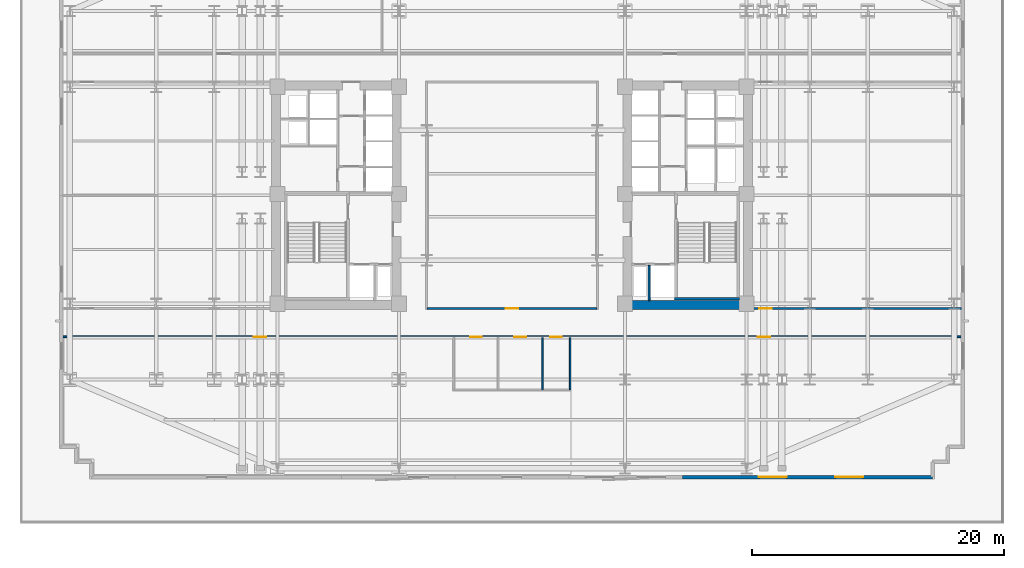
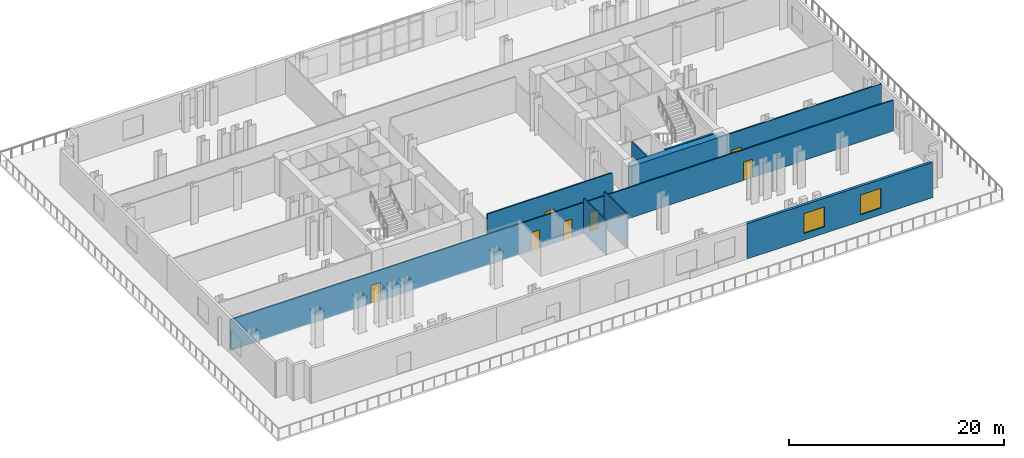
# One storey, part 7 of 14: 9 walls, 7 doors, 2 windows, 9 openings.
"""IFC4 building model written with IfcOpenShell, lengths in metres."""

from ifc_helpers import new_model, si_unit, direction, frame, frame_2d, origin, place, context, subcontext, project, spatial, rectangle, extrude, material, layer, layer_set, type_object, element, fill, save


model = new_model("IFC4")

# Units and contexts
model_context = context("Model", 3, precision=1e-05, world=origin(), true_north=direction((0.0, 1.0)))
body_context = subcontext(model_context, "Body", "Model", "MODEL_VIEW")
ifc_project = project(units=[si_unit("LENGTHUNIT", "METRE"), si_unit("AREAUNIT", "SQUARE_METRE"), si_unit("VOLUMEUNIT", "CUBIC_METRE"), si_unit("PLANEANGLEUNIT", "RADIAN"), si_unit("MASSUNIT", "GRAM", prefix="KILO")], contexts=[model_context])

# Site, building, storey
site_placement = place(None, origin())
site = spatial("IfcSite", under=ifc_project, at=site_placement, CompositionType="ELEMENT")
building_placement = place(site_placement, origin())
building = spatial("IfcBuilding", under=site, at=building_placement, Name="Velakula Bourse", CompositionType="ELEMENT")
storey_placement = place(building_placement, frame((0.0, 0.0, 27.0)))
storey = spatial("IfcBuildingStorey", under=building, at=storey_placement, Name="L06", CompositionType="ELEMENT", Elevation=27.0)

# Walls
ifc_material_1 = material(Name="Concrete M50 (fck 50 MPa)", Category="concrete")
ifc_layer_1 = layer(ifc_material_1, 0.2099609375, Name="Concrete M50 (fck 50 MPa)", Category="concrete")
ifc_layer_set_1 = layer_set([ifc_layer_1], Name="Concrete M50 (fck 50 MPa)")
wall_type_1 = type_object("IfcWallType", Name="WL-CORE-210", PredefinedType="SHEAR", material=ifc_layer_set_1)
wall_1_placement = place(storey_placement, frame((12.889892578125, -8.205078125, 0.0), z_axis=(0.0, 0.0, 1.0), x_axis=(1.0, 0.0, 0.0)))
element("IfcWall", 1, at=wall_1_placement, inside=storey, type_object=wall_type_1, Name="L06 Core E Stairwell Shear Wall S", PredefinedType="SHEAR", context=body_context, shape_type="SweptSolid", body=[
    extrude(rectangle(XDim=5.14013671875, YDim=0.2099609375, at=frame_2d((2.570068359375, 0.0))), origin(), (0.0, 0.0, 1.0), 4.02001953125),
])
ifc_material_2 = material(Name="Concrete M70 (fck 70 MPa)", Category="concrete")
ifc_layer_2 = layer(ifc_material_2, 0.699951171875, Name="Concrete M70 (fck 70 MPa)", Category="concrete")
ifc_layer_set_2 = layer_set([ifc_layer_2], Name="Concrete M70 (fck 70 MPa)")
wall_type_2 = type_object("IfcWallType", Name="WL-CORE-700", PredefinedType="SHEAR", material=ifc_layer_set_2)
wall_2_placement = place(storey_placement, frame((8.800048828125, -8.699951171875, 0.0), z_axis=(0.0, 0.0, 1.0), x_axis=(1.0, 0.0, 0.0)))
element("IfcWall", 2, at=wall_2_placement, inside=storey, type_object=wall_type_2, Name="L06 Core E Shear Wall S", PredefinedType="SHEAR", context=body_context, shape_type="SweptSolid", body=[
    extrude(rectangle(XDim=10.25, YDim=0.699951171875, at=frame_2d((5.125, 0.0))), origin(), (0.0, 0.0, 1.0), 4.02001953125),
])

# Wall, openings, windows
ifc_material_3 = material(Name="Red kilned clay facing brick masonry", Category="masonry")
ifc_layer_3 = layer(ifc_material_3, 0.280029296875, Name="Red kilned clay facing brick masonry", Category="masonry")
ifc_layer_set_3 = layer_set([ifc_layer_3], Name="Red kilned clay facing brick masonry")
wall_type_3 = type_object("IfcWallType", Name="WL-EXT-BRK-280", PredefinedType="STANDARD", material=ifc_layer_set_3)
wall_3_placement = place(storey_placement, frame((33.340087890625, -22.340087890625, 0.0), z_axis=(0.0, 0.0, 1.0), x_axis=(-1.0, 0.0, 0.0)))
wall_3 = element("IfcWall", 3, at=wall_3_placement, inside=storey, type_object=wall_type_3, Name="L06 S Brick Spandrel Wall B5", PredefinedType="STANDARD", context=body_context, shape_type="SweptSolid", body=[
    extrude(rectangle(XDim=19.840087890625, YDim=0.280029296875, at=frame_2d((9.919921875, 0.0))), origin(), (0.0, 0.0, 1.0), 4.0),
])
opening_1_placement = place(wall_3_placement, frame((5.51318359375, 0.0, 0.760009765625)))
opening_1 = element("IfcOpeningElement", 4, at=opening_1_placement, cuts=wall_3, Name="Opening W-08", PredefinedType="OPENING", context=body_context, shape_type="SweptSolid", body=[
    extrude(rectangle(XDim=2.199951171875, YDim=2.25, at=frame_2d((1.10009765625, 1.125))), frame((0.0, 0.14990234375, 0.0), z_axis=(0.0, -1.0, 0.0), x_axis=(1.0, 0.0, 0.0)), (0.0, 0.0, 1.0), 0.300048828125),
])
opening_2_placement = place(wall_3_placement, frame((11.57666015625, 0.0, 0.760009765625)))
opening_2 = element("IfcOpeningElement", 5, at=opening_2_placement, cuts=wall_3, Name="Opening W-08", PredefinedType="OPENING", context=body_context, shape_type="SweptSolid", body=[
    extrude(rectangle(XDim=2.199951171875, YDim=2.25, at=frame_2d((1.10009765625, 1.125))), frame((0.0, 0.14990234375, 0.0), z_axis=(0.0, -1.0, 0.0), x_axis=(1.0, 0.0, 0.0)), (0.0, 0.0, 1.0), 0.300048828125),
])
ifc_material_4 = material(Name="Double-glazed solar-control Low-E glass", Category="glass")
window_type = type_object("IfcWindowType", Name="WIN-SL-2200x2500", PartitioningType="DOUBLE_PANEL_VERTICAL", PredefinedType="WINDOW", material=ifc_material_4)
window_1_placement = place(opening_1_placement, origin())
window_1 = element("IfcWindow", 6, at=window_1_placement, inside=storey, type_object=window_type, Name="L06 Deep-Set Recessed Window 1", OverallHeight=2.25, OverallWidth=2.199951171875, PartitioningType="DOUBLE_PANEL_VERTICAL", PredefinedType="WINDOW", context=body_context, shape_type="SweptSolid", body=[
    extrude(rectangle(XDim=2.199951171875, YDim=2.25, at=frame_2d((1.10009765625, 1.125))), frame((0.0, 0.030029296875, 0.0), z_axis=(0.0, -1.0, 0.0), x_axis=(1.0, 0.0, 0.0)), (0.0, 0.0, 1.0), 0.06005859375),
])
fill(opening_1, window_1)
window_2_placement = place(opening_2_placement, origin())
window_2 = element("IfcWindow", 7, at=window_2_placement, inside=storey, type_object=window_type, Name="L06 Deep-Set Recessed Window 2", OverallHeight=2.25, OverallWidth=2.199951171875, PartitioningType="DOUBLE_PANEL_VERTICAL", PredefinedType="WINDOW", context=body_context, shape_type="SweptSolid", body=[
    extrude(rectangle(XDim=2.199951171875, YDim=2.25, at=frame_2d((1.10009765625, 1.125))), frame((0.0, 0.030029296875, 0.0), z_axis=(0.0, -1.0, 0.0), x_axis=(1.0, 0.0, 0.0)), (0.0, 0.0, 1.0), 0.06005859375),
])
fill(opening_2, window_2)

# Walls
ifc_material_5 = material(Name="Fire-rated double-layer gypsum drywall partition", Category="gypsum")
ifc_layer_4 = layer(ifc_material_5, 0.1201171875, Name="Fire-rated double-layer gypsum drywall partition", Category="gypsum")
ifc_layer_set_4 = layer_set([ifc_layer_4], Name="Fire-rated double-layer gypsum drywall partition")
wall_type_4 = type_object("IfcWallType", Name="WL-PART-120", PredefinedType="STANDARD", material=ifc_layer_set_4)
for number, where, z_axis, x_axis, name in (
    (8, (2.39990234375, -15.419921875, 0.0), (0.0, 0.0, 1.0), (0.0, 1.0, 0.0), "L06 Interior Partition WL-WC-L06-V3"),
    (9, (4.60009765625, -15.419921875, 0.0), (0.0, 0.0, 1.0), (0.0, 1.0, 0.0), "L06 Interior Partition WL-WC-L06-V4"),
):
    element("IfcWall", number, at=place(storey_placement, frame(where, z_axis=z_axis, x_axis=x_axis)), inside=storey, type_object=wall_type_4, Name=name, PredefinedType="STANDARD", context=body_context, shape_type="SweptSolid", body=[
        extrude(rectangle(XDim=4.1298828125, YDim=0.1201171875, at=frame_2d((2.06494140625, 0.0))), origin(), (0.0, 0.0, 1.0), 4.0),
    ])

# Wall, openings, doors
ifc_layer_5 = layer(ifc_material_5, 0.139892578125, Name="Fire-rated double-layer gypsum drywall partition", Category="gypsum")
ifc_layer_set_5 = layer_set([ifc_layer_5], Name="Fire-rated double-layer gypsum drywall partition")
wall_type_5 = type_object("IfcWallType", Name="WL-PART-140", PredefinedType="STANDARD", material=ifc_layer_set_5)
wall_4_placement = place(storey_placement, frame((-35.6201171875, -11.219970703125, 0.0), z_axis=(0.0, 0.0, 1.0), x_axis=(1.0, 0.0, 0.0)))
wall_4 = element("IfcWall", 10, at=wall_4_placement, inside=storey, type_object=wall_type_5, Name="L06 Interior Partition WL-INT-L06-S-CORR", PredefinedType="STANDARD", context=body_context, shape_type="SweptSolid", body=[
    extrude(rectangle(XDim=71.240234375, YDim=0.139892578125, at=frame_2d((35.6201171875, 0.0))), origin(), (0.0, 0.0, 1.0), 3.4951171875),
])
opening_3_placement = place(wall_4_placement, frame((32.31005859375, 0.0, 0.0)))
opening_3 = element("IfcOpeningElement", 11, at=opening_3_placement, cuts=wall_4, Name="Opening D-WT1", PredefinedType="OPENING", context=body_context, shape_type="SweptSolid", body=[
    extrude(rectangle(XDim=0.919921875, YDim=2.080078125, at=frame_2d((0.4599609375, 1.0400390625))), frame((0.0, 0.079833984375, 0.0), z_axis=(0.0, -1.0, 0.0), x_axis=(1.0, 0.0, 0.0)), (0.0, 0.0, 1.0), 0.159912109375),
])
opening_4_placement = place(wall_4_placement, frame((35.81005859375, 0.0, 0.0)))
opening_4 = element("IfcOpeningElement", 12, at=opening_4_placement, cuts=wall_4, Name="Opening D-WT1", PredefinedType="OPENING", context=body_context, shape_type="SweptSolid", body=[
    extrude(rectangle(XDim=0.919921875, YDim=2.080078125, at=frame_2d((0.4599609375, 1.0400390625))), frame((0.0, 0.079833984375, 0.0), z_axis=(0.0, -1.0, 0.0), x_axis=(1.0, 0.0, 0.0)), (0.0, 0.0, 1.0), 0.159912109375),
])
opening_5_placement = place(wall_4_placement, frame((38.659912109375, 0.0, 0.0)))
opening_5 = element("IfcOpeningElement", 13, at=opening_5_placement, cuts=wall_4, Name="Opening D-WC1", PredefinedType="OPENING", context=body_context, shape_type="SweptSolid", body=[
    extrude(rectangle(XDim=0.919921875, YDim=2.080078125, at=frame_2d((0.4599609375, 1.0400390625))), frame((0.0, 0.079833984375, 0.0), z_axis=(0.0, -1.0, 0.0), x_axis=(1.0, 0.0, 0.0)), (0.0, 0.0, 1.0), 0.159912109375),
])
opening_6_placement = place(wall_4_placement, frame((15.135986328125, 0.0, 0.0)))
opening_6 = element("IfcOpeningElement", 14, at=opening_6_placement, cuts=wall_4, Name="Opening D-OF1", PredefinedType="OPENING", context=body_context, shape_type="SweptSolid", body=[
    extrude(rectangle(XDim=1.0, YDim=2.080078125, at=frame_2d((0.5, 1.0400390625))), frame((0.0, 0.079833984375, 0.0), z_axis=(0.0, -1.0, 0.0), x_axis=(1.0, 0.0, 0.0)), (0.0, 0.0, 1.0), 0.159912109375),
])
opening_7_placement = place(wall_4_placement, frame((55.10400390625, 0.0, 0.0)))
opening_7 = element("IfcOpeningElement", 15, at=opening_7_placement, cuts=wall_4, Name="Opening D-OF1", PredefinedType="OPENING", context=body_context, shape_type="SweptSolid", body=[
    extrude(rectangle(XDim=1.0, YDim=2.080078125, at=frame_2d((0.5, 1.0400390625))), frame((0.0, 0.079833984375, 0.0), z_axis=(0.0, -1.0, 0.0), x_axis=(1.0, 0.0, 0.0)), (0.0, 0.0, 1.0), 0.159912109375),
])
ifc_material_6 = material(Name="Fire-rated hardwood flush architectural door", Category="wood")
door_type_1 = type_object("IfcDoorType", Name="DR-OFF-1000", OperationType="NOTDEFINED", PredefinedType="DOOR", material=ifc_material_6)
door_1_placement = place(opening_6_placement, origin())
door_1 = element("IfcDoor", 16, at=door_1_placement, inside=storey, type_object=door_type_1, Name="L06 Traders Bistro Restaurant Door", OperationType="SINGLE_SWING_RIGHT", OverallHeight=2.080078125, OverallWidth=1.0, PredefinedType="DOOR", context=body_context, shape_type="SweptSolid", body=[
    extrude(rectangle(XDim=1.0, YDim=2.080078125, at=frame_2d((0.5, 1.0400390625))), frame((0.0, 0.02490234375, 0.0), z_axis=(0.0, -1.0, 0.0), x_axis=(1.0, 0.0, 0.0)), (0.0, 0.0, 1.0), 0.050048828125),
])
fill(opening_6, door_1)
door_2_placement = place(opening_7_placement, origin())
door_2 = element("IfcDoor", 17, at=door_2_placement, inside=storey, type_object=door_type_1, Name="L06 Primary Dealer Office Door", OperationType="SINGLE_SWING_LEFT", OverallHeight=2.080078125, OverallWidth=1.0, PredefinedType="DOOR", context=body_context, shape_type="SweptSolid", body=[
    extrude(rectangle(XDim=1.0, YDim=2.080078125, at=frame_2d((0.5, 1.0400390625))), frame((0.0, 0.02490234375, 0.0), z_axis=(0.0, -1.0, 0.0), x_axis=(1.0, 0.0, 0.0)), (0.0, 0.0, 1.0), 0.050048828125),
])
fill(opening_7, door_2)
door_type_2 = type_object("IfcDoorType", Name="DR-WC-950", OperationType="NOTDEFINED", PredefinedType="DOOR", material=ifc_material_6)
door_3_placement = place(opening_3_placement, origin())
door_3 = element("IfcDoor", 18, at=door_3_placement, inside=storey, type_object=door_type_2, Name="L06 Male Staff Toilet Door", OperationType="SINGLE_SWING_LEFT", OverallHeight=2.080078125, OverallWidth=0.919921875, PredefinedType="DOOR", context=body_context, shape_type="SweptSolid", body=[
    extrude(rectangle(XDim=0.919921875, YDim=2.080078125, at=frame_2d((0.4599609375, 1.0400390625))), frame((0.0, 0.02490234375, 0.0), z_axis=(0.0, -1.0, 0.0), x_axis=(1.0, 0.0, 0.0)), (0.0, 0.0, 1.0), 0.050048828125),
])
fill(opening_3, door_3)
door_4_placement = place(opening_4_placement, origin())
door_4 = element("IfcDoor", 19, at=door_4_placement, inside=storey, type_object=door_type_2, Name="L06 Female Staff Toilet Door", OperationType="SINGLE_SWING_RIGHT", OverallHeight=2.080078125, OverallWidth=0.919921875, PredefinedType="DOOR", context=body_context, shape_type="SweptSolid", body=[
    extrude(rectangle(XDim=0.919921875, YDim=2.080078125, at=frame_2d((0.4599609375, 1.0400390625))), frame((0.0, 0.02490234375, 0.0), z_axis=(0.0, -1.0, 0.0), x_axis=(1.0, 0.0, 0.0)), (0.0, 0.0, 1.0), 0.050048828125),
])
fill(opening_4, door_4)
door_5_placement = place(opening_5_placement, origin())
door_5 = element("IfcDoor", 20, at=door_5_placement, inside=storey, type_object=door_type_2, Name="L06 Accessible WC Door", OperationType="SINGLE_SWING_LEFT", OverallHeight=2.080078125, OverallWidth=0.919921875, PredefinedType="DOOR", context=body_context, shape_type="SweptSolid", body=[
    extrude(rectangle(XDim=0.919921875, YDim=2.080078125, at=frame_2d((0.4599609375, 1.0400390625))), frame((0.0, 0.02490234375, 0.0), z_axis=(0.0, -1.0, 0.0), x_axis=(1.0, 0.0, 0.0)), (0.0, 0.0, 1.0), 0.050048828125),
])
fill(opening_5, door_5)

# Wall, opening, door
wall_5_placement = place(storey_placement, frame((19.050048828125, -8.97998046875, 0.0), z_axis=(0.0, 0.0, 1.0), x_axis=(1.0, 0.0, 0.0)))
wall_5 = element("IfcWall", 21, at=wall_5_placement, inside=storey, type_object=wall_type_5, Name="L06 Interior Partition WL-INT-L06-E-SC", PredefinedType="STANDARD", context=body_context, shape_type="SweptSolid", body=[
    extrude(rectangle(XDim=16.570068359375, YDim=0.139892578125, at=frame_2d((8.28515625, 0.0))), origin(), (0.0, 0.0, 1.0), 4.0),
])
opening_8_placement = place(wall_5_placement, frame((0.53955078125, 0.0, 0.0)))
opening_8 = element("IfcOpeningElement", 22, at=opening_8_placement, cuts=wall_5, Name="Opening D-OF1", PredefinedType="OPENING", context=body_context, shape_type="SweptSolid", body=[
    extrude(rectangle(XDim=1.0, YDim=2.080078125, at=frame_2d((0.5, 1.0400390625))), frame((0.0, 0.079833984375, 0.0), z_axis=(0.0, -1.0, 0.0), x_axis=(1.0, 0.0, 0.0)), (0.0, 0.0, 1.0), 0.159912109375),
])
door_6_placement = place(opening_8_placement, origin())
door_6 = element("IfcDoor", 23, at=door_6_placement, inside=storey, type_object=door_type_1, Name="L06 Market Data Feed Workspace Door", OperationType="SINGLE_SWING_LEFT", OverallHeight=2.080078125, OverallWidth=1.0, PredefinedType="DOOR", context=body_context, shape_type="SweptSolid", body=[
    extrude(rectangle(XDim=1.0, YDim=2.080078125, at=frame_2d((0.5, 1.0400390625))), frame((0.0, 0.02490234375, 0.0), z_axis=(0.0, -1.0, 0.0), x_axis=(1.0, 0.0, 0.0)), (0.0, 0.0, 1.0), 0.050048828125),
])
fill(opening_8, door_6)

wall_6_placement = place(storey_placement, frame((-6.7099609375, -8.97998046875, 0.0), z_axis=(0.0, 0.0, 1.0), x_axis=(1.0, 0.0, 0.0)))
wall_6 = element("IfcWall", 24, at=wall_6_placement, inside=storey, type_object=wall_type_5, Name="L06 Interior Partition WL-INT-L06-MID-S", PredefinedType="STANDARD", context=body_context, shape_type="SweptSolid", body=[
    extrude(rectangle(XDim=13.419921875, YDim=0.139892578125, at=frame_2d((6.7099609375, 0.0))), origin(), (0.0, 0.0, 1.0), 4.0),
])
opening_9_placement = place(wall_6_placement, frame((6.2099609375, 0.0, 0.0)))
opening_9 = element("IfcOpeningElement", 25, at=opening_9_placement, cuts=wall_6, Name="Opening D-OF1", PredefinedType="OPENING", context=body_context, shape_type="SweptSolid", body=[
    extrude(rectangle(XDim=1.0, YDim=2.080078125, at=frame_2d((0.5, 1.0400390625))), frame((0.0, 0.079833984375, 0.0), z_axis=(0.0, -1.0, 0.0), x_axis=(1.0, 0.0, 0.0)), (0.0, 0.0, 1.0), 0.159912109375),
])
door_7_placement = place(opening_9_placement, origin())
door_7 = element("IfcDoor", 26, at=door_7_placement, inside=storey, type_object=door_type_1, Name="L06 Central Dealing Ring Chamber Door", OperationType="SINGLE_SWING_RIGHT", OverallHeight=2.080078125, OverallWidth=1.0, PredefinedType="DOOR", context=body_context, shape_type="SweptSolid", body=[
    extrude(rectangle(XDim=1.0, YDim=2.080078125, at=frame_2d((0.5, 1.0400390625))), frame((0.0, 0.02490234375, 0.0), z_axis=(0.0, -1.0, 0.0), x_axis=(1.0, 0.0, 0.0)), (0.0, 0.0, 1.0), 0.050048828125),
])
fill(opening_9, door_7)

# Wall
ifc_material_7 = material(Name="Autoclaved aerated concrete blockwork masonry", Category="masonry")
ifc_layer_6 = layer(ifc_material_7, 0.14990234375, Name="Autoclaved aerated concrete blockwork masonry", Category="masonry")
ifc_layer_set_6 = layer_set([ifc_layer_6], Name="Autoclaved aerated concrete blockwork masonry")
wall_type_6 = type_object("IfcWallType", Name="WL-SHAFT-150", PredefinedType="STANDARD", material=ifc_layer_set_6)
wall_7_placement = place(storey_placement, frame((10.875, -8.35009765625, 0.0), z_axis=(0.0, 0.0, 1.0), x_axis=(0.0, 1.0, 0.0)))
element("IfcWall", 27, at=wall_7_placement, inside=storey, type_object=wall_type_6, Name="L06 Interior Partition WL-CRE-L06-FR-DIV", PredefinedType="STANDARD", context=body_context, shape_type="SweptSolid", body=[
    extrude(rectangle(XDim=2.800048828125, YDim=0.14990234375, at=frame_2d((1.39990234375, 0.0))), origin(), (0.0, 0.0, 1.0), 4.0),
])

save(model, "model.ifc")
